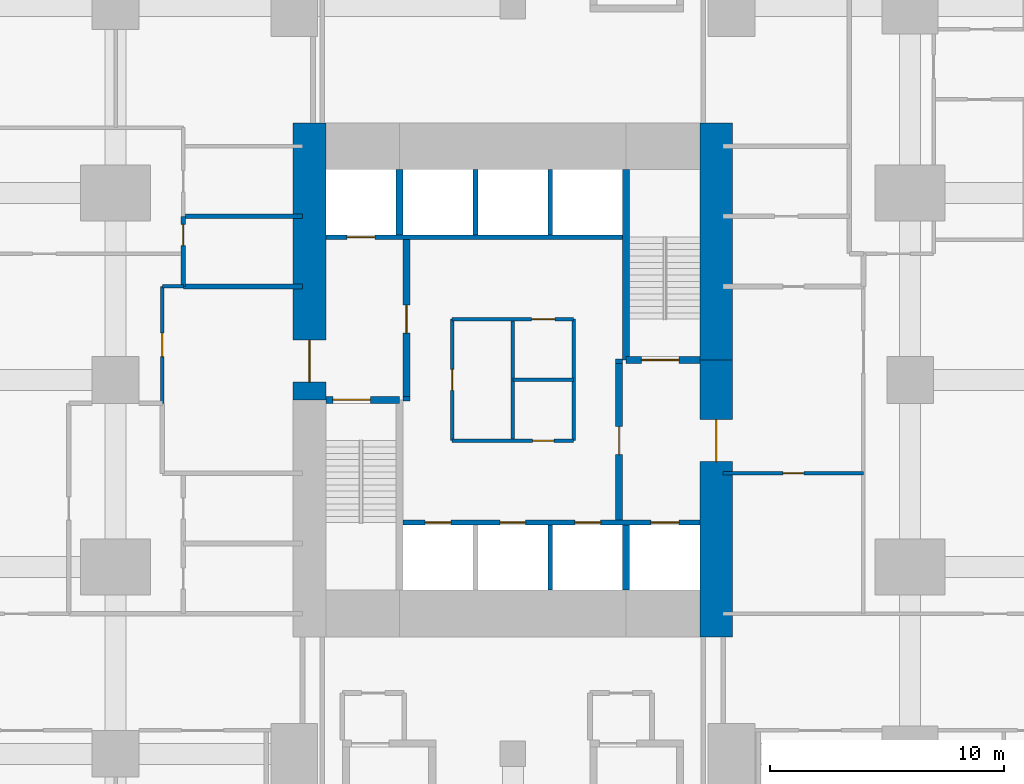
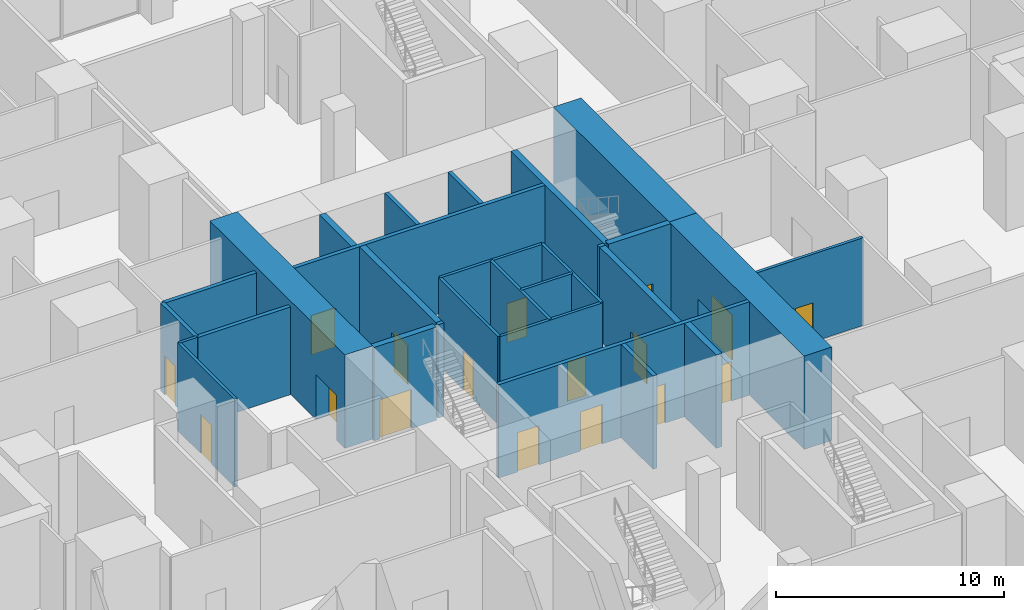
# One storey, part 9 of 19: 29 walls, 17 doors, 17 openings.
"""IFC4 building model written with IfcOpenShell, lengths in metres."""

from ifc_helpers import new_model, si_unit, direction, frame, frame_2d, origin, place, context, subcontext, project, spatial, rectangle, extrude, material, layer, layer_set, type_object, element, fill, save


model = new_model("IFC4")

# Units and contexts
model_context = context("Model", 3, precision=1e-05, world=origin(), true_north=direction((0.0, 1.0)))
body_context = subcontext(model_context, "Body", "Model", "MODEL_VIEW")
ifc_project = project(units=[si_unit("LENGTHUNIT", "METRE"), si_unit("AREAUNIT", "SQUARE_METRE"), si_unit("VOLUMEUNIT", "CUBIC_METRE"), si_unit("PLANEANGLEUNIT", "RADIAN"), si_unit("MASSUNIT", "GRAM", prefix="KILO")], contexts=[model_context])

# Site, building, storey
site_placement = place(None, origin())
site = spatial("IfcSite", under=ifc_project, at=site_placement, CompositionType="ELEMENT")
building_placement = place(site_placement, origin())
building = spatial("IfcBuilding", under=site, at=building_placement, Name="Cleftline Residences", CompositionType="ELEMENT")
storey_placement = place(building_placement, frame((0.0, 0.0, 11.0)))
storey = spatial("IfcBuildingStorey", under=building, at=storey_placement, Name="L02", CompositionType="ELEMENT", Elevation=11.0)

# Wall, opening, door
ifc_material_1 = material(Name="Concrete B70", Category="concrete")
ifc_layer_1 = layer(ifc_material_1, 1.39990234375)
ifc_layer_set_1 = layer_set([ifc_layer_1], Name="CORE WALL 1400")
wall_type_1 = type_object("IfcWallType", Name="CORE WALL 1400", PredefinedType="SHEAR", material=ifc_layer_set_1)
wall_1_placement = place(storey_placement, frame((24.300048828125, 23.14990234375, 0.0), z_axis=(0.0, 0.0, 1.0), x_axis=(0.0, 1.0, 0.0)))
wall_1 = element("IfcWall", 1, at=wall_1_placement, inside=storey, type_object=wall_type_1, Name="Core wall W", PredefinedType="SHEAR", context=body_context, shape_type="SweptSolid", body=[
    extrude(rectangle(XDim=11.85009765625, YDim=1.39990234375, at=frame_2d((5.925048828125, 0.0))), origin(), (0.0, 0.0, 1.0), 5.0),
])
opening_1_placement = place(wall_1_placement, frame((0.75, 0.0, 0.0)))
opening_1 = element("IfcOpeningElement", 2, at=opening_1_placement, cuts=wall_1, Name="Opening D7", PredefinedType="OPENING", context=body_context, shape_type="SweptSolid", body=[
    extrude(rectangle(XDim=1.800048828125, YDim=2.39990234375, at=frame_2d((0.89990234375, 1.199951171875))), frame((0.0, 0.7099609375, 0.0), z_axis=(0.0, -1.0, 0.0), x_axis=(1.0, 0.0, 0.0)), (0.0, 0.0, 1.0), 1.419921875),
])
ifc_material_2 = material(Name="Steel", Category="steel")
door_type_1 = type_object("IfcDoorType", Name="WING DOOR 1800X2400", OperationType="DOUBLE_DOOR_DOUBLE_SWING", PredefinedType="DOOR", material=ifc_material_2)
door_1_placement = place(opening_1_placement, origin())
door_1 = element("IfcDoor", 3, at=door_1_placement, inside=storey, type_object=door_type_1, Name="West wing door", OperationType="DOUBLE_DOOR_DOUBLE_SWING", OverallHeight=2.39990234375, OverallWidth=1.800048828125, PredefinedType="DOOR", context=body_context, shape_type="SweptSolid", body=[
    extrude(rectangle(XDim=1.800048828125, YDim=2.39990234375, at=frame_2d((0.89990234375, 1.199951171875))), frame((0.0, 0.02490234375, 0.0), z_axis=(0.0, -1.0, 0.0), x_axis=(1.0, 0.0, 0.0)), (0.0, 0.0, 1.0), 0.050048828125),
])
fill(opening_1, door_1)

wall_2_placement = place(storey_placement, frame((41.699951171875, 13.0, 0.0), z_axis=(0.0, 0.0, 1.0), x_axis=(0.0, 1.0, 0.0)))
wall_2 = element("IfcWall", 4, at=wall_2_placement, inside=storey, type_object=wall_type_1, Name="Core wall E", PredefinedType="SHEAR", context=body_context, shape_type="SweptSolid", body=[
    extrude(rectangle(XDim=11.85009765625, YDim=1.39990234375, at=frame_2d((5.925048828125, 0.0))), origin(), (0.0, 0.0, 1.0), 5.0),
])
opening_2_placement = place(wall_2_placement, frame((7.5, 0.0, 0.0)))
opening_2 = element("IfcOpeningElement", 5, at=opening_2_placement, cuts=wall_2, Name="Opening D7", PredefinedType="OPENING", context=body_context, shape_type="SweptSolid", body=[
    extrude(rectangle(XDim=1.800048828125, YDim=2.39990234375, at=frame_2d((0.89990234375, 1.199951171875))), frame((0.0, 0.7099609375, 0.0), z_axis=(0.0, -1.0, 0.0), x_axis=(1.0, 0.0, 0.0)), (0.0, 0.0, 1.0), 1.419921875),
])
door_2_placement = place(opening_2_placement, origin())
door_2 = element("IfcDoor", 6, at=door_2_placement, inside=storey, type_object=door_type_1, Name="East wing door", OperationType="DOUBLE_DOOR_DOUBLE_SWING", OverallHeight=2.39990234375, OverallWidth=1.800048828125, PredefinedType="DOOR", context=body_context, shape_type="SweptSolid", body=[
    extrude(rectangle(XDim=1.800048828125, YDim=2.39990234375, at=frame_2d((0.89990234375, 1.199951171875))), frame((0.0, 0.02490234375, 0.0), z_axis=(0.0, -1.0, 0.0), x_axis=(1.0, 0.0, 0.0)), (0.0, 0.0, 1.0), 0.050048828125),
])
fill(opening_2, door_2)

# Wall
wall_3_placement = place(storey_placement, frame((41.699951171875, 24.85009765625, 0.0), z_axis=(0.0, 0.0, 1.0), x_axis=(0.0, 1.0, 0.0)))
element("IfcWall", 7, at=wall_3_placement, inside=storey, type_object=wall_type_1, Name="Core wall E1", PredefinedType="SHEAR", context=body_context, shape_type="SweptSolid", body=[
    extrude(rectangle(XDim=10.14990234375, YDim=1.39990234375, at=frame_2d((5.074951171875, 0.0))), origin(), (0.0, 0.0, 1.0), 5.0),
])

# Wall, opening, door
ifc_material_3 = material(Name="Concrete B70", Category="concrete")
ifc_layer_2 = layer(ifc_material_3, 0.300048828125)
ifc_layer_set_2 = layer_set([ifc_layer_2], Name="CORE WALL 300")
wall_type_2 = type_object("IfcWallType", Name="CORE WALL 300", PredefinedType="SHEAR", material=ifc_layer_set_2)
wall_4_placement = place(storey_placement, frame((25.0, 23.14990234375, 0.0), z_axis=(0.0, 0.0, 1.0), x_axis=(1.0, 0.0, 0.0)))
wall_4 = element("IfcWall", 8, at=wall_4_placement, inside=storey, type_object=wall_type_2, Name="Core wall SA-N", PredefinedType="SHEAR", context=body_context, shape_type="SweptSolid", body=[
    extrude(rectangle(XDim=3.14990234375, YDim=0.300048828125, at=frame_2d((1.574951171875, 0.0))), origin(), (0.0, 0.0, 1.0), 5.0),
])
opening_3_placement = place(wall_4_placement, frame((0.300048828125, 0.0, 0.0)))
opening_3 = element("IfcOpeningElement", 9, at=opening_3_placement, cuts=wall_4, Name="Opening D9", PredefinedType="OPENING", context=body_context, shape_type="SweptSolid", body=[
    extrude(rectangle(XDim=1.60009765625, YDim=2.10009765625, at=frame_2d((0.800048828125, 1.050048828125))), frame((0.0, 0.159912109375, 0.0), z_axis=(0.0, -1.0, 0.0), x_axis=(1.0, 0.0, 0.0)), (0.0, 0.0, 1.0), 0.320068359375),
])
ifc_material_4 = material(Name="Steel", Category="steel")
door_type_2 = type_object("IfcDoorType", Name="STAIR DOOR 1600X2100", OperationType="DOUBLE_DOOR_SINGLE_SWING", PredefinedType="DOOR", material=ifc_material_4)
door_3_placement = place(opening_3_placement, origin())
door_3 = element("IfcDoor", 10, at=door_3_placement, inside=storey, type_object=door_type_2, Name="Stair A door", OperationType="DOUBLE_DOOR_SINGLE_SWING", OverallHeight=2.10009765625, OverallWidth=1.60009765625, PredefinedType="DOOR", context=body_context, shape_type="SweptSolid", body=[
    extrude(rectangle(XDim=1.60009765625, YDim=2.10009765625, at=frame_2d((0.800048828125, 1.050048828125))), frame((0.0, 0.02490234375, 0.0), z_axis=(0.0, -1.0, 0.0), x_axis=(1.0, 0.0, 0.0)), (0.0, 0.0, 1.0), 0.050048828125),
])
fill(opening_3, door_3)

# Wall
wall_5_placement = place(storey_placement, frame((37.85009765625, 24.85009765625, 0.0), z_axis=(0.0, 0.0, 1.0), x_axis=(0.0, 1.0, 0.0)))
element("IfcWall", 11, at=wall_5_placement, inside=storey, type_object=wall_type_2, Name="Core wall SB-W", PredefinedType="SHEAR", context=body_context, shape_type="SweptSolid", body=[
    extrude(rectangle(XDim=8.14990234375, YDim=0.300048828125, at=frame_2d((4.074951171875, 0.0))), origin(), (0.0, 0.0, 1.0), 5.0),
])

# Wall, opening, door
wall_6_placement = place(storey_placement, frame((37.85009765625, 24.85009765625, 0.0), z_axis=(0.0, 0.0, 1.0), x_axis=(1.0, 0.0, 0.0)))
wall_6 = element("IfcWall", 12, at=wall_6_placement, inside=storey, type_object=wall_type_2, Name="Core wall SB-S", PredefinedType="SHEAR", context=body_context, shape_type="SweptSolid", body=[
    extrude(rectangle(XDim=3.14990234375, YDim=0.300048828125, at=frame_2d((1.574951171875, 0.0))), origin(), (0.0, 0.0, 1.0), 5.0),
])
opening_4_placement = place(wall_6_placement, frame((0.64990234375, 0.0, 0.0)))
opening_4 = element("IfcOpeningElement", 13, at=opening_4_placement, cuts=wall_6, Name="Opening D9", PredefinedType="OPENING", context=body_context, shape_type="SweptSolid", body=[
    extrude(rectangle(XDim=1.60009765625, YDim=2.10009765625, at=frame_2d((0.800048828125, 1.050048828125))), frame((0.0, 0.159912109375, 0.0), z_axis=(0.0, -1.0, 0.0), x_axis=(1.0, 0.0, 0.0)), (0.0, 0.0, 1.0), 0.320068359375),
])
door_4_placement = place(opening_4_placement, origin())
door_4 = element("IfcDoor", 14, at=door_4_placement, inside=storey, type_object=door_type_2, Name="Stair B door", OperationType="DOUBLE_DOOR_SINGLE_SWING", OverallHeight=2.10009765625, OverallWidth=1.60009765625, PredefinedType="DOOR", context=body_context, shape_type="SweptSolid", body=[
    extrude(rectangle(XDim=1.60009765625, YDim=2.10009765625, at=frame_2d((0.800048828125, 1.050048828125))), frame((0.0, 0.02490234375, 0.0), z_axis=(0.0, -1.0, 0.0), x_axis=(1.0, 0.0, 0.0)), (0.0, 0.0, 1.0), 0.050048828125),
])
fill(opening_4, door_4)

# Walls
for number, where, z_axis, x_axis, name in (
    (15, (37.85009765625, 15.0, 0.0), (0.0, 0.0, 1.0), (0.0, 1.0, 0.0), "Lift shaft wall"),
    (16, (28.14990234375, 30.199951171875, 0.0), (0.0, 0.0, 1.0), (0.0, 1.0, 0.0), "Lift shaft wall"),
):
    element("IfcWall", number, at=place(storey_placement, frame(where, z_axis=z_axis, x_axis=x_axis)), inside=storey, type_object=wall_type_2, Name=name, PredefinedType="SHEAR", context=body_context, shape_type="SweptSolid", body=[
        extrude(rectangle(XDim=2.800048828125, YDim=0.300048828125, at=frame_2d((1.39990234375, 0.0))), origin(), (0.0, 0.0, 1.0), 5.0),
    ])
ifc_material_5 = material(Name="Concrete blockwork, fire rated", Category="masonry")
ifc_layer_3 = layer(ifc_material_5, 0.199951171875)
ifc_layer_set_3 = layer_set([ifc_layer_3], Name="FIRE WALL 200")
wall_type_3 = type_object("IfcWallType", Name="FIRE WALL 200", PredefinedType="PARTITIONING", material=ifc_layer_set_3)
for number, where, z_axis, x_axis, name in (
    (17, (18.89990234375, 28.0, 0.0), (0.0, 0.0, 1.0), (1.0, 0.0, 0.0), "Fire separating wall"),
    (18, (18.89990234375, 31.0, 0.0), (0.0, 0.0, 1.0), (1.0, 0.0, 0.0), "Fire separating wall"),
):
    element("IfcWall", number, at=place(storey_placement, frame(where, z_axis=z_axis, x_axis=x_axis)), inside=storey, type_object=wall_type_3, Name=name, PredefinedType="PARTITIONING", context=body_context, shape_type="SweptSolid", body=[
        extrude(rectangle(XDim=5.10009765625, YDim=0.199951171875, at=frame_2d((2.550048828125, 0.0))), origin(), (0.0, 0.0, 1.0), 4.699951171875),
    ])

# Wall, opening, door
wall_7_placement = place(storey_placement, frame((18.89990234375, 28.0, 0.0), z_axis=(0.0, 0.0, 1.0), x_axis=(0.0, 1.0, 0.0)))
wall_7 = element("IfcWall", 19, at=wall_7_placement, inside=storey, type_object=wall_type_3, Name="Fire separating wall", PredefinedType="PARTITIONING", context=body_context, shape_type="SweptSolid", body=[
    extrude(rectangle(XDim=3.0, YDim=0.199951171875, at=frame_2d((1.5, 0.0))), origin(), (0.0, 0.0, 1.0), 4.699951171875),
])
opening_5_placement = place(wall_7_placement, frame((1.75, 0.0, 0.0)))
opening_5 = element("IfcOpeningElement", 20, at=opening_5_placement, cuts=wall_7, Name="Opening D1F30", PredefinedType="OPENING", context=body_context, shape_type="SweptSolid", body=[
    extrude(rectangle(XDim=0.89990234375, YDim=2.10009765625, at=frame_2d((0.449951171875, 1.050048828125))), frame((0.0, 0.10986328125, 0.0), z_axis=(0.0, -1.0, 0.0), x_axis=(1.0, 0.0, 0.0)), (0.0, 0.0, 1.0), 0.219970703125),
])
ifc_material_6 = material(Name="Timber veneer on solid core", Category="wood")
door_type_3 = type_object("IfcDoorType", Name="DOOR 900X2100 EI 30", OperationType="SINGLE_SWING_LEFT", PredefinedType="DOOR", material=ifc_material_6)
door_5_placement = place(opening_5_placement, origin())
door_5 = element("IfcDoor", 21, at=door_5_placement, inside=storey, type_object=door_type_3, Name="Door to accessible wc", OperationType="SINGLE_SWING_LEFT", OverallHeight=2.10009765625, OverallWidth=0.89990234375, PredefinedType="DOOR", context=body_context, shape_type="SweptSolid", body=[
    extrude(rectangle(XDim=0.89990234375, YDim=2.10009765625, at=frame_2d((0.449951171875, 1.050048828125))), frame((0.0, 0.02490234375, 0.0), z_axis=(0.0, -1.0, 0.0), x_axis=(1.0, 0.0, 0.0)), (0.0, 0.0, 1.0), 0.050048828125),
])
fill(opening_5, door_5)

# Walls
for number, where, z_axis, x_axis, name in (
    (22, (28.300048828125, 23.199951171875, 0.0), (0.0, 0.0, 1.0), (1.0, 0.0, 0.0), "Fire separating wall"),
    (23, (37.39990234375, 24.800048828125, 0.0), (0.0, 0.0, 1.0), (1.0, 0.0, 0.0), "Fire separating wall"),
):
    element("IfcWall", number, at=place(storey_placement, frame(where, z_axis=z_axis, x_axis=x_axis)), inside=storey, type_object=wall_type_3, Name=name, PredefinedType="PARTITIONING", context=body_context, shape_type="SweptSolid", body=[
        extrude(rectangle(XDim=0.300048828125, YDim=0.199951171875, at=frame_2d((0.14990234375, 0.0))), origin(), (0.0, 0.0, 1.0), 5.0),
    ])

# Wall, opening, door
ifc_material_7 = material(Name="Gypsum board on steel studs", Category="steel")
ifc_layer_4 = layer(ifc_material_7, 0.14990234375)
ifc_layer_set_4 = layer_set([ifc_layer_4], Name="PARTITION 150")
wall_type_4 = type_object("IfcWallType", Name="PARTITION 150", PredefinedType="PARTITIONING", material=ifc_layer_set_4)
wall_8_placement = place(storey_placement, frame((42.0, 20.0, 0.0), z_axis=(0.0, 0.0, 1.0), x_axis=(1.0, 0.0, 0.0)))
wall_8 = element("IfcWall", 24, at=wall_8_placement, inside=storey, type_object=wall_type_4, Name="Partition", PredefinedType="PARTITIONING", context=body_context, shape_type="SweptSolid", body=[
    extrude(rectangle(XDim=6.0, YDim=0.14990234375, at=frame_2d((3.0, 0.0))), origin(), (0.0, 0.0, 1.0), 4.699951171875),
])
opening_6_placement = place(wall_8_placement, frame((2.550048828125, 0.0, 0.0)))
opening_6 = element("IfcOpeningElement", 25, at=opening_6_placement, cuts=wall_8, Name="Opening D1", PredefinedType="OPENING", context=body_context, shape_type="SweptSolid", body=[
    extrude(rectangle(XDim=0.89990234375, YDim=2.10009765625, at=frame_2d((0.449951171875, 1.050048828125))), frame((0.0, 0.0849609375, 0.0), z_axis=(0.0, -1.0, 0.0), x_axis=(1.0, 0.0, 0.0)), (0.0, 0.0, 1.0), 0.169921875),
])
ifc_material_8 = material(Name="Timber veneer on solid core", Category="wood")
door_type_4 = type_object("IfcDoorType", Name="DOOR 900X2100", OperationType="SINGLE_SWING_LEFT", PredefinedType="DOOR", material=ifc_material_8)
door_6_placement = place(opening_6_placement, origin())
door_6 = element("IfcDoor", 26, at=door_6_placement, inside=storey, type_object=door_type_4, Name="Door to store room", OperationType="SINGLE_SWING_LEFT", OverallHeight=2.10009765625, OverallWidth=0.89990234375, PredefinedType="DOOR", context=body_context, shape_type="SweptSolid", body=[
    extrude(rectangle(XDim=0.89990234375, YDim=2.10009765625, at=frame_2d((0.449951171875, 1.050048828125))), frame((0.0, 0.02490234375, 0.0), z_axis=(0.0, -1.0, 0.0), x_axis=(1.0, 0.0, 0.0)), (0.0, 0.0, 1.0), 0.050048828125),
])
fill(opening_6, door_6)

# Wall
wall_9_placement = place(storey_placement, frame((18.0, 28.0, 0.0), z_axis=(0.0, 0.0, 1.0), x_axis=(1.0, 0.0, 0.0)))
element("IfcWall", 27, at=wall_9_placement, inside=storey, type_object=wall_type_4, Name="Partition", PredefinedType="PARTITIONING", context=body_context, shape_type="SweptSolid", body=[
    extrude(rectangle(XDim=0.89990234375, YDim=0.14990234375, at=frame_2d((0.449951171875, 0.0))), origin(), (0.0, 0.0, 1.0), 4.699951171875),
])

# Wall, opening, door
wall_10_placement = place(storey_placement, frame((18.0, 23.0, 0.0), z_axis=(0.0, 0.0, 1.0), x_axis=(0.0, 1.0, 0.0)))
wall_10 = element("IfcWall", 28, at=wall_10_placement, inside=storey, type_object=wall_type_4, Name="Partition", PredefinedType="PARTITIONING", context=body_context, shape_type="SweptSolid", body=[
    extrude(rectangle(XDim=5.0, YDim=0.14990234375, at=frame_2d((2.5, 0.0))), origin(), (0.0, 0.0, 1.0), 4.699951171875),
])
opening_7_placement = place(wall_10_placement, frame((2.0, 0.0, 0.0)))
opening_7 = element("IfcOpeningElement", 29, at=opening_7_placement, cuts=wall_10, Name="Opening D2F30", PredefinedType="OPENING", context=body_context, shape_type="SweptSolid", body=[
    extrude(rectangle(XDim=1.0, YDim=2.10009765625, at=frame_2d((0.5, 1.050048828125))), frame((0.0, 0.0849609375, 0.0), z_axis=(0.0, -1.0, 0.0), x_axis=(1.0, 0.0, 0.0)), (0.0, 0.0, 1.0), 0.169921875),
])
ifc_material_9 = material(Name="Timber veneer on solid core", Category="wood")
door_type_5 = type_object("IfcDoorType", Name="DOOR 1000X2100 EI 30", OperationType="SINGLE_SWING_LEFT", PredefinedType="DOOR", material=ifc_material_9)
door_7_placement = place(opening_7_placement, origin())
door_7 = element("IfcDoor", 30, at=door_7_placement, inside=storey, type_object=door_type_5, Name="Door to podium corridor", OperationType="SINGLE_SWING_LEFT", OverallHeight=2.10009765625, OverallWidth=1.0, PredefinedType="DOOR", context=body_context, shape_type="SweptSolid", body=[
    extrude(rectangle(XDim=1.0, YDim=2.10009765625, at=frame_2d((0.5, 1.050048828125))), frame((0.0, 0.02490234375, 0.0), z_axis=(0.0, -1.0, 0.0), x_axis=(1.0, 0.0, 0.0)), (0.0, 0.0, 1.0), 0.050048828125),
])
fill(opening_7, door_7)

ifc_material_10 = material(Name="Fire-resisting gypsum board on steel studs", Category="steel")
ifc_layer_5 = layer(ifc_material_10, 0.14990234375)
ifc_layer_set_5 = layer_set([ifc_layer_5], Name="PARTITION 150 EI 60")
wall_type_5 = type_object("IfcWallType", Name="PARTITION 150 EI 60", PredefinedType="PARTITIONING", material=ifc_layer_set_5)
wall_11_placement = place(storey_placement, frame((30.39990234375, 21.39990234375, 0.0), z_axis=(0.0, 0.0, 1.0), x_axis=(1.0, 0.0, 0.0)))
wall_11 = element("IfcWall", 31, at=wall_11_placement, inside=storey, type_object=wall_type_5, Name="Core room partition", PredefinedType="PARTITIONING", context=body_context, shape_type="SweptSolid", body=[
    extrude(rectangle(XDim=5.2001953125, YDim=0.14990234375, at=frame_2d((2.60009765625, 0.0))), origin(), (0.0, 0.0, 1.0), 4.699951171875),
])
opening_8_placement = place(wall_11_placement, frame((3.449951171875, 0.0, 0.0)))
opening_8 = element("IfcOpeningElement", 32, at=opening_8_placement, cuts=wall_11, Name="Opening D1F30", PredefinedType="OPENING", context=body_context, shape_type="SweptSolid", body=[
    extrude(rectangle(XDim=0.89990234375, YDim=2.10009765625, at=frame_2d((0.449951171875, 1.050048828125))), frame((0.0, 0.0849609375, 0.0), z_axis=(0.0, -1.0, 0.0), x_axis=(1.0, 0.0, 0.0)), (0.0, 0.0, 1.0), 0.169921875),
])
door_8_placement = place(opening_8_placement, origin())
door_8 = element("IfcDoor", 33, at=door_8_placement, inside=storey, type_object=door_type_3, Name="Door to retail stock room", OperationType="SINGLE_SWING_LEFT", OverallHeight=2.10009765625, OverallWidth=0.89990234375, PredefinedType="DOOR", context=body_context, shape_type="SweptSolid", body=[
    extrude(rectangle(XDim=0.89990234375, YDim=2.10009765625, at=frame_2d((0.449951171875, 1.050048828125))), frame((0.0, 0.02490234375, 0.0), z_axis=(0.0, -1.0, 0.0), x_axis=(1.0, 0.0, 0.0)), (0.0, 0.0, 1.0), 0.050048828125),
])
fill(opening_8, door_8)

wall_12_placement = place(storey_placement, frame((30.39990234375, 26.60009765625, 0.0), z_axis=(0.0, 0.0, 1.0), x_axis=(1.0, 0.0, 0.0)))
wall_12 = element("IfcWall", 34, at=wall_12_placement, inside=storey, type_object=wall_type_5, Name="Core room partition", PredefinedType="PARTITIONING", context=body_context, shape_type="SweptSolid", body=[
    extrude(rectangle(XDim=5.2001953125, YDim=0.14990234375, at=frame_2d((2.60009765625, 0.0))), origin(), (0.0, 0.0, 1.0), 4.699951171875),
])
opening_9_placement = place(wall_12_placement, frame((3.39990234375, 0.0, 0.0)))
opening_9 = element("IfcOpeningElement", 35, at=opening_9_placement, cuts=wall_12, Name="Opening D2F60", PredefinedType="OPENING", context=body_context, shape_type="SweptSolid", body=[
    extrude(rectangle(XDim=1.0, YDim=2.10009765625, at=frame_2d((0.5, 1.050048828125))), frame((0.0, 0.0849609375, 0.0), z_axis=(0.0, -1.0, 0.0), x_axis=(1.0, 0.0, 0.0)), (0.0, 0.0, 1.0), 0.169921875),
])
ifc_material_11 = material(Name="Timber veneer on solid core", Category="wood")
door_type_6 = type_object("IfcDoorType", Name="DOOR 1000X2100 EI 60", OperationType="SINGLE_SWING_LEFT", PredefinedType="DOOR", material=ifc_material_11)
door_9_placement = place(opening_9_placement, origin())
door_9 = element("IfcDoor", 36, at=door_9_placement, inside=storey, type_object=door_type_6, Name="Door to security equipment room", OperationType="SINGLE_SWING_LEFT", OverallHeight=2.10009765625, OverallWidth=1.0, PredefinedType="DOOR", context=body_context, shape_type="SweptSolid", body=[
    extrude(rectangle(XDim=1.0, YDim=2.10009765625, at=frame_2d((0.5, 1.050048828125))), frame((0.0, 0.02490234375, 0.0), z_axis=(0.0, -1.0, 0.0), x_axis=(1.0, 0.0, 0.0)), (0.0, 0.0, 1.0), 0.050048828125),
])
fill(opening_9, door_9)

wall_13_placement = place(storey_placement, frame((30.39990234375, 21.39990234375, 0.0), z_axis=(0.0, 0.0, 1.0), x_axis=(0.0, 1.0, 0.0)))
wall_13 = element("IfcWall", 37, at=wall_13_placement, inside=storey, type_object=wall_type_5, Name="Core room partition", PredefinedType="PARTITIONING", context=body_context, shape_type="SweptSolid", body=[
    extrude(rectangle(XDim=5.2001953125, YDim=0.14990234375, at=frame_2d((2.60009765625, 0.0))), origin(), (0.0, 0.0, 1.0), 4.699951171875),
])
opening_10_placement = place(wall_13_placement, frame((2.14990234375, 0.0, 0.0)))
opening_10 = element("IfcOpeningElement", 38, at=opening_10_placement, cuts=wall_13, Name="Opening D1F30", PredefinedType="OPENING", context=body_context, shape_type="SweptSolid", body=[
    extrude(rectangle(XDim=0.89990234375, YDim=2.10009765625, at=frame_2d((0.449951171875, 1.050048828125))), frame((0.0, 0.0849609375, 0.0), z_axis=(0.0, -1.0, 0.0), x_axis=(1.0, 0.0, 0.0)), (0.0, 0.0, 1.0), 0.169921875),
])
door_10_placement = place(opening_10_placement, origin())
door_10 = element("IfcDoor", 39, at=door_10_placement, inside=storey, type_object=door_type_3, Name="Door to cleaner's store", OperationType="SINGLE_SWING_LEFT", OverallHeight=2.10009765625, OverallWidth=0.89990234375, PredefinedType="DOOR", context=body_context, shape_type="SweptSolid", body=[
    extrude(rectangle(XDim=0.89990234375, YDim=2.10009765625, at=frame_2d((0.449951171875, 1.050048828125))), frame((0.0, 0.02490234375, 0.0), z_axis=(0.0, -1.0, 0.0), x_axis=(1.0, 0.0, 0.0)), (0.0, 0.0, 1.0), 0.050048828125),
])
fill(opening_10, door_10)

# Walls
wall_14_placement = place(storey_placement, frame((35.60009765625, 21.39990234375, 0.0), z_axis=(0.0, 0.0, 1.0), x_axis=(0.0, 1.0, 0.0)))
element("IfcWall", 40, at=wall_14_placement, inside=storey, type_object=wall_type_5, Name="Core room partition", PredefinedType="PARTITIONING", context=body_context, shape_type="SweptSolid", body=[
    extrude(rectangle(XDim=5.2001953125, YDim=0.14990234375, at=frame_2d((2.60009765625, 0.0))), origin(), (0.0, 0.0, 1.0), 4.699951171875),
])
wall_15_placement = place(storey_placement, frame((33.0, 24.0, 0.0), z_axis=(0.0, 0.0, 1.0), x_axis=(1.0, 0.0, 0.0)))
element("IfcWall", 41, at=wall_15_placement, inside=storey, type_object=wall_type_5, Name="Core room partition", PredefinedType="PARTITIONING", context=body_context, shape_type="SweptSolid", body=[
    extrude(rectangle(XDim=2.60009765625, YDim=0.14990234375, at=frame_2d((1.300048828125, 0.0))), origin(), (0.0, 0.0, 1.0), 4.699951171875),
])
wall_16_placement = place(storey_placement, frame((33.0, 21.39990234375, 0.0), z_axis=(0.0, 0.0, 1.0), x_axis=(0.0, 1.0, 0.0)))
element("IfcWall", 42, at=wall_16_placement, inside=storey, type_object=wall_type_5, Name="Core room partition", PredefinedType="PARTITIONING", context=body_context, shape_type="SweptSolid", body=[
    extrude(rectangle(XDim=5.2001953125, YDim=0.14990234375, at=frame_2d((2.60009765625, 0.0))), origin(), (0.0, 0.0, 1.0), 4.699951171875),
])

# Wall, openings, doors
ifc_material_12 = material(Name="Concrete blockwork, fire rated", Category="masonry")
ifc_layer_6 = layer(ifc_material_12, 0.199951171875)
ifc_layer_set_6 = layer_set([ifc_layer_6], Name="SHAFT WALL 200")
wall_type_6 = type_object("IfcWallType", Name="SHAFT WALL 200", PredefinedType="PARTITIONING", material=ifc_layer_set_6)
wall_17_placement = place(storey_placement, frame((28.300048828125, 17.89990234375, 0.0), z_axis=(0.0, 0.0, 1.0), x_axis=(1.0, 0.0, 0.0)))
wall_17 = element("IfcWall", 43, at=wall_17_placement, inside=storey, type_object=wall_type_6, Name="Lift shaft wall", PredefinedType="PARTITIONING", context=body_context, shape_type="SweptSolid", body=[
    extrude(rectangle(XDim=12.699951171875, YDim=0.199951171875, at=frame_2d((6.35009765625, 0.0))), origin(), (0.0, 0.0, 1.0), 5.0),
])
opening_11_placement = place(wall_17_placement, frame((0.949951171875, 0.0, 0.0)))
opening_11 = element("IfcOpeningElement", 44, at=opening_11_placement, cuts=wall_17, Name="Opening LD1", PredefinedType="OPENING", context=body_context, shape_type="SweptSolid", body=[
    extrude(rectangle(XDim=1.10009765625, YDim=2.10009765625, at=frame_2d((0.550048828125, 1.050048828125))), frame((0.0, 0.10986328125, 0.0), z_axis=(0.0, -1.0, 0.0), x_axis=(1.0, 0.0, 0.0)), (0.0, 0.0, 1.0), 0.219970703125),
])
opening_12_placement = place(wall_17_placement, frame((4.14990234375, 0.0, 0.0)))
opening_12 = element("IfcOpeningElement", 45, at=opening_12_placement, cuts=wall_17, Name="Opening LD1", PredefinedType="OPENING", context=body_context, shape_type="SweptSolid", body=[
    extrude(rectangle(XDim=1.10009765625, YDim=2.10009765625, at=frame_2d((0.550048828125, 1.050048828125))), frame((0.0, 0.10986328125, 0.0), z_axis=(0.0, -1.0, 0.0), x_axis=(1.0, 0.0, 0.0)), (0.0, 0.0, 1.0), 0.219970703125),
])
opening_13_placement = place(wall_17_placement, frame((7.35009765625, 0.0, 0.0)))
opening_13 = element("IfcOpeningElement", 46, at=opening_13_placement, cuts=wall_17, Name="Opening LD1", PredefinedType="OPENING", context=body_context, shape_type="SweptSolid", body=[
    extrude(rectangle(XDim=1.10009765625, YDim=2.10009765625, at=frame_2d((0.550048828125, 1.050048828125))), frame((0.0, 0.10986328125, 0.0), z_axis=(0.0, -1.0, 0.0), x_axis=(1.0, 0.0, 0.0)), (0.0, 0.0, 1.0), 0.219970703125),
])
opening_14_placement = place(wall_17_placement, frame((10.60009765625, 0.0, 0.0)))
opening_14 = element("IfcOpeningElement", 47, at=opening_14_placement, cuts=wall_17, Name="Opening LD2", PredefinedType="OPENING", context=body_context, shape_type="SweptSolid", body=[
    extrude(rectangle(XDim=1.199951171875, YDim=2.10009765625, at=frame_2d((0.60009765625, 1.050048828125))), frame((0.0, 0.10986328125, 0.0), z_axis=(0.0, -1.0, 0.0), x_axis=(1.0, 0.0, 0.0)), (0.0, 0.0, 1.0), 0.219970703125),
])
ifc_material_13 = material(Name="Steel", Category="steel")
door_type_7 = type_object("IfcDoorType", Name="FIREFIGHTING LIFT LANDING DOOR 1200X2100", OperationType="SLIDING_TO_LEFT", PredefinedType="DOOR", material=ifc_material_13)
door_11_placement = place(opening_14_placement, origin())
door_11 = element("IfcDoor", 48, at=door_11_placement, inside=storey, type_object=door_type_7, Name="Lift FL2 landing door", OperationType="SLIDING_TO_LEFT", OverallHeight=2.10009765625, OverallWidth=1.199951171875, PredefinedType="DOOR", context=body_context, shape_type="SweptSolid", body=[
    extrude(rectangle(XDim=1.199951171875, YDim=2.10009765625, at=frame_2d((0.60009765625, 1.050048828125))), frame((0.0, 0.02490234375, 0.0), z_axis=(0.0, -1.0, 0.0), x_axis=(1.0, 0.0, 0.0)), (0.0, 0.0, 1.0), 0.050048828125),
])
fill(opening_14, door_11)
ifc_material_14 = material(Name="Steel", Category="steel")
door_type_8 = type_object("IfcDoorType", Name="LIFT LANDING DOOR 1100X2100", OperationType="SLIDING_TO_LEFT", PredefinedType="DOOR", material=ifc_material_14)
door_12_placement = place(opening_11_placement, origin())
door_12 = element("IfcDoor", 49, at=door_12_placement, inside=storey, type_object=door_type_8, Name="Lift P1 landing door", OperationType="SLIDING_TO_LEFT", OverallHeight=2.10009765625, OverallWidth=1.10009765625, PredefinedType="DOOR", context=body_context, shape_type="SweptSolid", body=[
    extrude(rectangle(XDim=1.10009765625, YDim=2.10009765625, at=frame_2d((0.550048828125, 1.050048828125))), frame((0.0, 0.02490234375, 0.0), z_axis=(0.0, -1.0, 0.0), x_axis=(1.0, 0.0, 0.0)), (0.0, 0.0, 1.0), 0.050048828125),
])
fill(opening_11, door_12)
door_13_placement = place(opening_12_placement, origin())
door_13 = element("IfcDoor", 50, at=door_13_placement, inside=storey, type_object=door_type_8, Name="Lift P2 landing door", OperationType="SLIDING_TO_LEFT", OverallHeight=2.10009765625, OverallWidth=1.10009765625, PredefinedType="DOOR", context=body_context, shape_type="SweptSolid", body=[
    extrude(rectangle(XDim=1.10009765625, YDim=2.10009765625, at=frame_2d((0.550048828125, 1.050048828125))), frame((0.0, 0.02490234375, 0.0), z_axis=(0.0, -1.0, 0.0), x_axis=(1.0, 0.0, 0.0)), (0.0, 0.0, 1.0), 0.050048828125),
])
fill(opening_12, door_13)
door_14_placement = place(opening_13_placement, origin())
door_14 = element("IfcDoor", 51, at=door_14_placement, inside=storey, type_object=door_type_8, Name="Lift P3 landing door", OperationType="SLIDING_TO_LEFT", OverallHeight=2.10009765625, OverallWidth=1.10009765625, PredefinedType="DOOR", context=body_context, shape_type="SweptSolid", body=[
    extrude(rectangle(XDim=1.10009765625, YDim=2.10009765625, at=frame_2d((0.550048828125, 1.050048828125))), frame((0.0, 0.02490234375, 0.0), z_axis=(0.0, -1.0, 0.0), x_axis=(1.0, 0.0, 0.0)), (0.0, 0.0, 1.0), 0.050048828125),
])
fill(opening_13, door_14)

# Wall, opening, door
wall_18_placement = place(storey_placement, frame((25.0, 30.10009765625, 0.0), z_axis=(0.0, 0.0, 1.0), x_axis=(1.0, 0.0, 0.0)))
wall_18 = element("IfcWall", 52, at=wall_18_placement, inside=storey, type_object=wall_type_6, Name="Lift shaft wall", PredefinedType="PARTITIONING", context=body_context, shape_type="SweptSolid", body=[
    extrude(rectangle(XDim=12.699951171875, YDim=0.199951171875, at=frame_2d((6.35009765625, 0.0))), origin(), (0.0, 0.0, 1.0), 5.0),
])
opening_15_placement = place(wall_18_placement, frame((0.89990234375, 0.0, 0.0)))
opening_15 = element("IfcOpeningElement", 53, at=opening_15_placement, cuts=wall_18, Name="Opening LD2", PredefinedType="OPENING", context=body_context, shape_type="SweptSolid", body=[
    extrude(rectangle(XDim=1.199951171875, YDim=2.10009765625, at=frame_2d((0.60009765625, 1.050048828125))), frame((0.0, 0.10986328125, 0.0), z_axis=(0.0, -1.0, 0.0), x_axis=(1.0, 0.0, 0.0)), (0.0, 0.0, 1.0), 0.219970703125),
])
door_15_placement = place(opening_15_placement, origin())
door_15 = element("IfcDoor", 54, at=door_15_placement, inside=storey, type_object=door_type_7, Name="Lift FL1 landing door", OperationType="SLIDING_TO_LEFT", OverallHeight=2.10009765625, OverallWidth=1.199951171875, PredefinedType="DOOR", context=body_context, shape_type="SweptSolid", body=[
    extrude(rectangle(XDim=1.199951171875, YDim=2.10009765625, at=frame_2d((0.60009765625, 1.050048828125))), frame((0.0, 0.02490234375, 0.0), z_axis=(0.0, -1.0, 0.0), x_axis=(1.0, 0.0, 0.0)), (0.0, 0.0, 1.0), 0.050048828125),
])
fill(opening_15, door_15)

# Walls
for number, where, z_axis, x_axis, name in (
    (55, (34.60009765625, 15.0, 0.0), (0.0, 0.0, 1.0), (0.0, 1.0, 0.0), "Lift shaft wall"),
    (56, (31.39990234375, 30.199951171875, 0.0), (0.0, 0.0, 1.0), (0.0, 1.0, 0.0), "Lift shaft wall"),
    (57, (34.60009765625, 30.199951171875, 0.0), (0.0, 0.0, 1.0), (0.0, 1.0, 0.0), "Lift shaft wall"),
):
    element("IfcWall", number, at=place(storey_placement, frame(where, z_axis=z_axis, x_axis=x_axis)), inside=storey, type_object=wall_type_6, Name=name, PredefinedType="PARTITIONING", context=body_context, shape_type="SweptSolid", body=[
        extrude(rectangle(XDim=2.800048828125, YDim=0.199951171875, at=frame_2d((1.39990234375, 0.0))), origin(), (0.0, 0.0, 1.0), 5.0),
    ])

# Wall, opening, door
ifc_material_15 = material(Name="Concrete blockwork, fire rated", Category="masonry")
ifc_layer_7 = layer(ifc_material_15, 0.300048828125)
ifc_layer_set_7 = layer_set([ifc_layer_7], Name="STAIR LOBBY WALL 300")
wall_type_7 = type_object("IfcWallType", Name="STAIR LOBBY WALL 300", PredefinedType="PARTITIONING", material=ifc_layer_set_7)
wall_19_placement = place(storey_placement, frame((28.449951171875, 23.300048828125, 0.0), z_axis=(0.0, 0.0, 1.0), x_axis=(0.0, 1.0, 0.0)))
wall_19 = element("IfcWall", 58, at=wall_19_placement, inside=storey, type_object=wall_type_7, Name="Stair and lobby wall FA-E", PredefinedType="PARTITIONING", context=body_context, shape_type="SweptSolid", body=[
    extrude(rectangle(XDim=6.699951171875, YDim=0.300048828125, at=frame_2d((3.35009765625, 0.0))), origin(), (0.0, 0.0, 1.0), 5.0),
])
opening_16_placement = place(wall_19_placement, frame((2.699951171875, 0.0, 0.0)))
opening_16 = element("IfcOpeningElement", 59, at=opening_16_placement, cuts=wall_19, Name="Opening D6", PredefinedType="OPENING", context=body_context, shape_type="SweptSolid", body=[
    extrude(rectangle(XDim=1.199951171875, YDim=2.10009765625, at=frame_2d((0.60009765625, 1.050048828125))), frame((0.0, 0.159912109375, 0.0), z_axis=(0.0, -1.0, 0.0), x_axis=(1.0, 0.0, 0.0)), (0.0, 0.0, 1.0), 0.320068359375),
])
ifc_material_16 = material(Name="Steel", Category="steel")
door_type_9 = type_object("IfcDoorType", Name="LOBBY DOOR 1200X2100", OperationType="SINGLE_SWING_RIGHT", PredefinedType="DOOR", material=ifc_material_16)
door_16_placement = place(opening_16_placement, origin())
door_16 = element("IfcDoor", 60, at=door_16_placement, inside=storey, type_object=door_type_9, Name="Firefighting lobby A door", OperationType="SINGLE_SWING_RIGHT", OverallHeight=2.10009765625, OverallWidth=1.199951171875, PredefinedType="DOOR", context=body_context, shape_type="SweptSolid", body=[
    extrude(rectangle(XDim=1.199951171875, YDim=2.10009765625, at=frame_2d((0.60009765625, 1.050048828125))), frame((0.0, 0.02490234375, 0.0), z_axis=(0.0, -1.0, 0.0), x_axis=(1.0, 0.0, 0.0)), (0.0, 0.0, 1.0), 0.050048828125),
])
fill(opening_16, door_16)

wall_20_placement = place(storey_placement, frame((37.550048828125, 18.0, 0.0), z_axis=(0.0, 0.0, 1.0), x_axis=(0.0, 1.0, 0.0)))
wall_20 = element("IfcWall", 61, at=wall_20_placement, inside=storey, type_object=wall_type_7, Name="Stair and lobby wall FB-W", PredefinedType="PARTITIONING", context=body_context, shape_type="SweptSolid", body=[
    extrude(rectangle(XDim=6.699951171875, YDim=0.300048828125, at=frame_2d((3.35009765625, 0.0))), origin(), (0.0, 0.0, 1.0), 5.0),
])
opening_17_placement = place(wall_20_placement, frame((2.800048828125, 0.0, 0.0)))
opening_17 = element("IfcOpeningElement", 62, at=opening_17_placement, cuts=wall_20, Name="Opening D6", PredefinedType="OPENING", context=body_context, shape_type="SweptSolid", body=[
    extrude(rectangle(XDim=1.199951171875, YDim=2.10009765625, at=frame_2d((0.60009765625, 1.050048828125))), frame((0.0, 0.159912109375, 0.0), z_axis=(0.0, -1.0, 0.0), x_axis=(1.0, 0.0, 0.0)), (0.0, 0.0, 1.0), 0.320068359375),
])
door_17_placement = place(opening_17_placement, origin())
door_17 = element("IfcDoor", 63, at=door_17_placement, inside=storey, type_object=door_type_9, Name="Firefighting lobby B door", OperationType="SINGLE_SWING_LEFT", OverallHeight=2.10009765625, OverallWidth=1.199951171875, PredefinedType="DOOR", context=body_context, shape_type="SweptSolid", body=[
    extrude(rectangle(XDim=1.199951171875, YDim=2.10009765625, at=frame_2d((0.60009765625, 1.050048828125))), frame((0.0, 0.02490234375, 0.0), z_axis=(0.0, -1.0, 0.0), x_axis=(1.0, 0.0, 0.0)), (0.0, 0.0, 1.0), 0.050048828125),
])
fill(opening_17, door_17)

save(model, "model.ifc")
